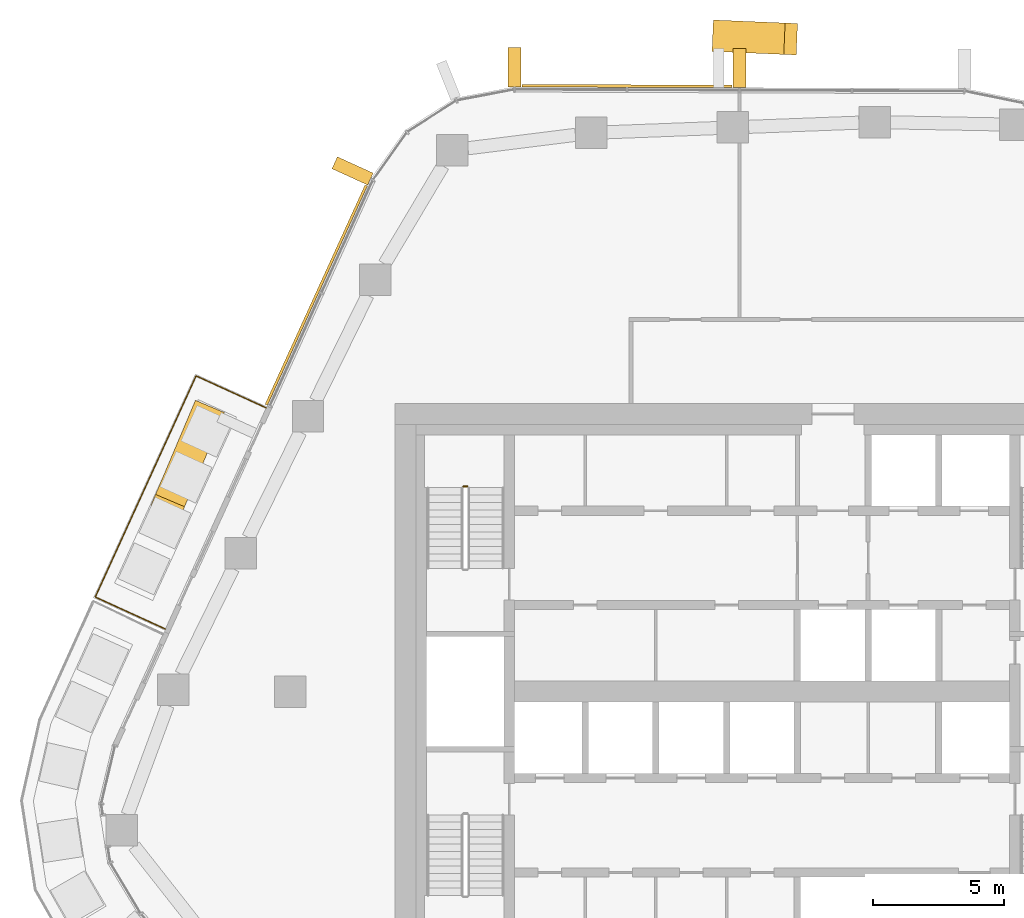
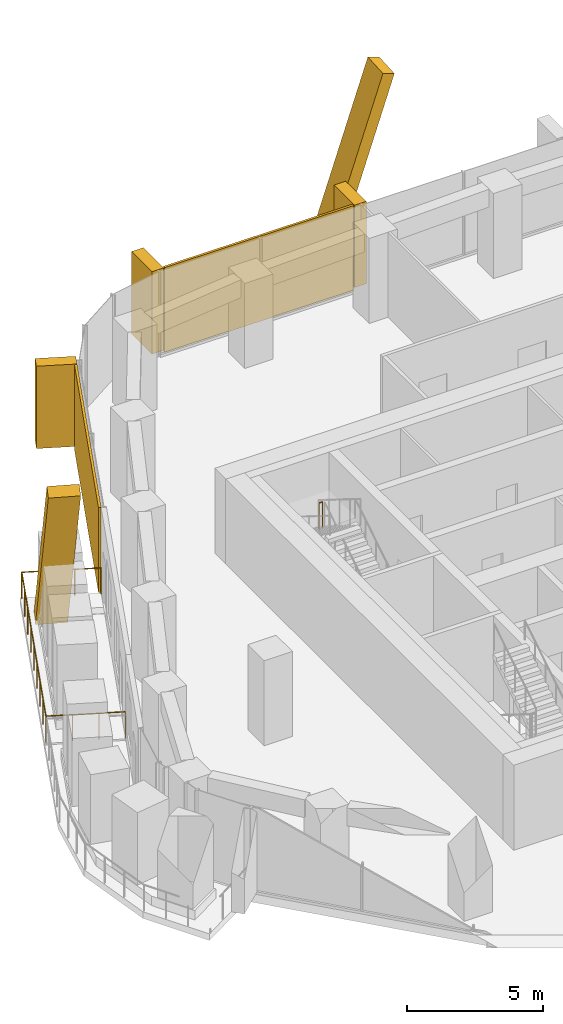
# One storey, part 18 of 19: 7 coverings, 2 railings, 2 elements without a shape of their own.
"""IFC4 building model written with IfcOpenShell, lengths in metres."""

import ifcopenshell
import ifcopenshell.guid

model = None  # the IFC model being written
_history = None  # IfcOwnerHistory: only IFC2X3 demands one
_inside = {}  # id of a spatial element -> (the spatial element, [elements in it])
_under = {}  # id of a project, library or spatial element -> (it, [spatial elements below it])
_declared = {}  # id of a project -> (the project, [libraries it declares])
_typed = {}  # id of a type object -> (the type object, [elements of that type])
_made_of = {}  # id of a material, layer set ... -> (it, [elements and type objects made of it])


def new_model(schema):
    """Start an empty IFC model of exactly this schema.

    Asked for "IFC4X3", IfcOpenShell would pick the latest addendum, in which some entities
    have other attributes; the version numbers below select the first issue.
    IFC2X3 requires an IfcOwnerHistory on every rooted entity: one is made here for all.
    """
    global model, _history
    if schema == "IFC4X3":
        model = ifcopenshell.file(schema_version=(4, 3, 0, 0))
    else:
        model = ifcopenshell.file(schema=schema)
    _inside.clear()
    _under.clear()
    _declared.clear()
    _typed.clear()
    _made_of.clear()
    _history = None
    if model.schema == "IFC2X3":
        org = make("IfcOrganization", Name="unknown")
        user = make(
            "IfcPersonAndOrganization",
            ThePerson=make("IfcPerson", FamilyName="unknown"),
            TheOrganization=org,
        )
        app = make(
            "IfcApplication",
            ApplicationDeveloper=org,
            Version="unknown",
            ApplicationFullName="unknown",
            ApplicationIdentifier="unknown",
        )
        _history = make(
            "IfcOwnerHistory",
            OwningUser=user,
            OwningApplication=app,
            ChangeAction="ADDED",
            CreationDate=0,
        )
    return model


def make(cls, **values):
    """One entity of the class cls with the attributes given. An attribute that is None is left unset."""
    return model.create_entity(
        cls, **{name: value for name, value in values.items() if value is not None}
    )


def rooted(cls, **values):
    """An entity with a GlobalId (a new one), such as an element, a storey or a relation."""
    return make(cls, GlobalId=ifcopenshell.guid.new(), OwnerHistory=_history, **values)


def si_unit(unit_type, name, prefix=None):
    """IfcSIUnit, for example si_unit("LENGTHUNIT", "METRE", prefix="MILLI")."""
    return make("IfcSIUnit", UnitType=unit_type, Prefix=prefix, Name=name)


def assignment(units):
    """IfcUnitAssignment: the units of a project."""
    return None if units is None else make("IfcUnitAssignment", Units=units)


def point(xyz):
    """IfcCartesianPoint."""
    return None if xyz is None else make("IfcCartesianPoint", Coordinates=xyz)


def direction(xyz):
    """IfcDirection."""
    return None if xyz is None else make("IfcDirection", DirectionRatios=xyz)


def frame(location, z_axis=None, x_axis=None):
    """IfcAxis2Placement3D, a coordinate frame: its origin and axes. An axis left out is left unset."""
    return make(
        "IfcAxis2Placement3D",
        Location=point(location),
        Axis=direction(z_axis),
        RefDirection=direction(x_axis),
    )


def frame_2d(location, x_axis=None):
    """IfcAxis2Placement2D, a coordinate frame in the plane: its origin and x axis."""
    return make(
        "IfcAxis2Placement2D", Location=point(location), RefDirection=direction(x_axis)
    )


def origin():
    """The frame at (0, 0, 0) with its axes left unset."""
    return frame((0.0, 0.0, 0.0))


def origin_2d():
    """The frame at (0, 0) in the plane with its x axis left unset."""
    return frame_2d((0.0, 0.0))


def place(relative_to, where):
    """IfcLocalPlacement: puts the frame where relative to a parent placement (None: the world)."""
    return make(
        "IfcLocalPlacement", PlacementRelTo=relative_to, RelativePlacement=where
    )


def context(
    kind, dimensions, precision=None, world=None, true_north=None, identifier=None
):
    """IfcGeometricRepresentationContext, for example the 3D "Model" context."""
    return make(
        "IfcGeometricRepresentationContext",
        ContextIdentifier=identifier,
        ContextType=kind,
        CoordinateSpaceDimension=dimensions,
        Precision=precision,
        WorldCoordinateSystem=world,
        TrueNorth=true_north,
    )


def subcontext(parent, identifier, kind, view, scale=None):
    """IfcGeometricRepresentationSubContext, for example "Body" below "Model"."""
    return make(
        "IfcGeometricRepresentationSubContext",
        ContextIdentifier=identifier,
        ContextType=kind,
        ParentContext=parent,
        TargetScale=scale,
        TargetView=view,
    )


def project(units=None, contexts=None):
    """IfcProject with its units and contexts."""
    return rooted(
        "IfcProject",
        Name="project",
        RepresentationContexts=contexts,
        UnitsInContext=assignment(units),
    )


def spatial(cls, under=None, at=None, **own):
    """A site, building, storey or space (cls), placed at a placement, below another one or the project."""
    s = rooted(cls, ObjectPlacement=at, **own)
    if under is not None:
        _under.setdefault(under.id(), (under, []))[1].append(s)
    return s


def profile(cls, at=None, kind="AREA", **sizes):
    """A parametric profile (cls). Its sizes go by their IFC names, for example OverallWidth=200.0."""
    return make(cls, ProfileType=kind, Position=at, **sizes)


def rectangle(**sizes):
    """IfcRectangleProfileDef."""
    return profile("IfcRectangleProfileDef", **sizes)


def circle(**sizes):
    """IfcCircleProfileDef."""
    return profile("IfcCircleProfileDef", **sizes)


def extrude(swept, where, along, depth):
    """IfcExtrudedAreaSolid: the profile swept, set in the frame where, extruded along a direction by depth."""
    return make(
        "IfcExtrudedAreaSolid",
        SweptArea=swept,
        Position=where,
        ExtrudedDirection=direction(along),
        Depth=depth,
    )


def shape(context_of_items, identifier, shape_type, items):
    """IfcShapeRepresentation: the items that make up one representation, for example the "Body"."""
    return make(
        "IfcShapeRepresentation",
        ContextOfItems=context_of_items,
        RepresentationIdentifier=identifier,
        RepresentationType=shape_type,
        Items=items,
    )


def material(Name=None, Category=None):
    """IfcMaterial."""
    return make("IfcMaterial", Name=Name, Category=Category)


def layer(
    of_material, thickness, ventilated=None, Name=None, Category=None, Priority=None
):
    """IfcMaterialLayer: one layer of a wall or slab, of a material (None: an air gap)."""
    return make(
        "IfcMaterialLayer",
        Material=of_material,
        LayerThickness=thickness,
        IsVentilated=ventilated,
        Name=Name,
        Category=Category,
        Priority=Priority,
    )


def layer_set(layers, Name=None):
    """IfcMaterialLayerSet."""
    return make("IfcMaterialLayerSet", MaterialLayers=layers, LayerSetName=Name)


def material_profile(
    of_material, cross_section, Name=None, Category=None, Priority=None
):
    """IfcMaterialProfile: a cross section and its material."""
    return make(
        "IfcMaterialProfile",
        Name=Name,
        Material=of_material,
        Profile=cross_section,
        Priority=Priority,
        Category=Category,
    )


def profile_set(profiles, Name=None, composite=None):
    """IfcMaterialProfileSet."""
    return make(
        "IfcMaterialProfileSet",
        Name=Name,
        MaterialProfiles=profiles,
        CompositeProfile=composite,
    )


def made_of(thing, what):
    """Note that an element or type object is made of a material, layer set ...; save() writes the relation."""
    if what is not None:
        _made_of.setdefault(what.id(), (what, []))[1].append(thing)
    return thing


def type_object(cls, material=None, **own):
    """A type object (cls), such as IfcWallType, which elements share."""
    return made_of(rooted(cls, **own), material)


def element(
    cls,
    number,
    at=None,
    inside=None,
    cuts=None,
    type_object=None,
    material=None,
    context=None,
    identifier="Body",
    shape_type=None,
    held_by="IfcProductDefinitionShape",
    body=None,
    shapes=None,
    **own,
):
    """One element of the class cls, such as IfcWall. Its Tag is "e" and its number.

    at: its placement. inside: the storey or other place that contains it. cuts: it is an
    opening in that element (IfcRelVoidsElement). A single representation is given by context,
    identifier, shape_type and body (its items); several are given by shapes. held_by: the class
    of the entity that holds the representations. save() writes the other relations.
    """
    e = rooted(cls, Tag="e%d" % number, ObjectPlacement=at, **own)
    if body is not None:
        shapes = [shape(context, identifier, shape_type, body)]
    if shapes is not None:
        e.Representation = make(held_by, Representations=shapes)
    if inside is not None:
        _inside.setdefault(inside.id(), (inside, []))[1].append(e)
    if cuts is not None:
        rooted(
            "IfcRelVoidsElement", RelatingBuildingElement=cuts, RelatedOpeningElement=e
        )
    if type_object is not None:
        _typed.setdefault(type_object.id(), (type_object, []))[1].append(e)
    return made_of(e, material)


def aggregate(whole, parts):
    """IfcRelAggregates: a whole, such as a stair, and the parts it consists of."""
    return rooted("IfcRelAggregates", RelatingObject=whole, RelatedObjects=parts)


def save(model, path):
    """Write the relations noted so far, then the file.

    IfcRelAggregates (storeys below a building ...), IfcRelContainedInSpatialStructure (elements
    in a storey), IfcRelDefinesByType, IfcRelAssociatesMaterial and IfcRelDeclares: one each for
    every whole, place, type object, material and project.
    """
    for whole, parts in _under.values():
        aggregate(whole, parts)
    for where, things in _inside.values():
        rooted(
            "IfcRelContainedInSpatialStructure",
            RelatedElements=things,
            RelatingStructure=where,
        )
    for kind, things in _typed.values():
        rooted("IfcRelDefinesByType", RelatedObjects=things, RelatingType=kind)
    for what, things in _made_of.values():
        rooted("IfcRelAssociatesMaterial", RelatedObjects=things, RelatingMaterial=what)
    for by, libraries in _declared.values():
        rooted("IfcRelDeclares", RelatingContext=by, RelatedDefinitions=libraries)
    model.write(path)


model = new_model("IFC4")

# Units and contexts
model_context = context("Model", 3, precision=1e-05, world=origin(), true_north=direction((0.0, 1.0)))
body_context = subcontext(model_context, "Body", "Model", "MODEL_VIEW")
ifc_project = project(units=[si_unit("LENGTHUNIT", "METRE"), si_unit("AREAUNIT", "SQUARE_METRE"), si_unit("VOLUMEUNIT", "CUBIC_METRE"), si_unit("PLANEANGLEUNIT", "RADIAN"), si_unit("MASSUNIT", "GRAM", prefix="KILO")], contexts=[model_context])

# Site, building, storey
site_placement = place(None, origin())
site = spatial("IfcSite", under=ifc_project, at=site_placement, CompositionType="ELEMENT")
building_placement = place(site_placement, origin())
building = spatial("IfcBuilding", under=site, at=building_placement, Name="Dongbaek Canopy Tower", CompositionType="ELEMENT")
storey_placement = place(building_placement, frame((0.0, 0.0, 207.199951171875)))
storey = spatial("IfcBuildingStorey", under=building, at=storey_placement, Name="L43", CompositionType="ELEMENT", Elevation=207.199951171875)

# Railing
ifc_material_1 = material(Name="Stainless steel", Category="steel")
railing_type_1 = type_object("IfcRailingType", Name="Balcony balustrade 1200", PredefinedType="BALUSTRADE", material=ifc_material_1)
railing_1_placement = place(storey_placement, frame((-18.92431640625, 10.82861328125, 0.0)))
element("IfcRailing", 1, at=railing_1_placement, inside=storey, type_object=railing_type_1, Name="Balcony guard L43 1", PredefinedType="BALUSTRADE", context=body_context, shape_type="SweptSolid", body=[
    extrude(circle(Radius=0.02392578125, at=origin_2d()), frame((0.0, 0.0, 1.17578125), z_axis=(-0.909910892542, 0.414803770033, 0.0), x_axis=(-0.414803770033, -0.909910892542, 0.0)), (0.0, 0.0, 1.0), 2.93994140625),
    extrude(circle(Radius=0.02392578125, at=origin_2d()), frame((-2.675048828125, 1.219482421875, 1.17578125), z_axis=(-0.414758607999, -0.909931479338, 0.0), x_axis=(0.909931479338, -0.414758607999, 0.0)), (0.0, 0.0, 1.0), 9.275146484375),
    extrude(circle(Radius=0.02392578125, at=origin_2d()), frame((-6.52197265625, -7.22021484375, 1.17578125), z_axis=(0.909910892542, -0.414803770033, 0.0), x_axis=(0.414803770033, 0.909910892542, 0.0)), (0.0, 0.0, 1.0), 2.93994140625),
    extrude(circle(Radius=0.02099609375, at=origin_2d()), origin(), (0.0, 0.0, 1.0), 1.15185546875),
    extrude(circle(Radius=0.02099609375, at=origin_2d()), frame((-0.8916015625, 0.406494140625, 0.0)), (0.0, 0.0, 1.0), 1.15185546875),
    extrude(circle(Radius=0.02099609375, at=origin_2d()), frame((-1.783447265625, 0.81298828125, 0.0)), (0.0, 0.0, 1.0), 1.15185546875),
    extrude(circle(Radius=0.02099609375, at=origin_2d()), frame((-2.675048828125, 1.219482421875, 0.0)), (0.0, 0.0, 1.0), 1.15185546875),
    extrude(circle(Radius=0.02099609375, at=origin_2d()), frame((-3.156005859375, 0.16455078125, 0.0)), (0.0, 0.0, 1.0), 1.15185546875),
    extrude(circle(Radius=0.02099609375, at=origin_2d()), frame((-3.63671875, -0.890380859375, 0.0)), (0.0, 0.0, 1.0), 1.15185546875),
    extrude(circle(Radius=0.02099609375, at=origin_2d()), frame((-4.11767578125, -1.9453125, 0.0)), (0.0, 0.0, 1.0), 1.15185546875),
    extrude(circle(Radius=0.02099609375, at=origin_2d()), frame((-4.5986328125, -3.00048828125, 0.0)), (0.0, 0.0, 1.0), 1.15185546875),
    extrude(circle(Radius=0.02099609375, at=origin_2d()), frame((-5.079345703125, -4.055419921875, 0.0)), (0.0, 0.0, 1.0), 1.15185546875),
    extrude(circle(Radius=0.02099609375, at=origin_2d()), frame((-5.560302734375, -5.1103515625, 0.0)), (0.0, 0.0, 1.0), 1.15185546875),
    extrude(circle(Radius=0.02099609375, at=origin_2d()), frame((-6.041015625, -6.165283203125, 0.0)), (0.0, 0.0, 1.0), 1.15185546875),
    extrude(circle(Radius=0.02099609375, at=origin_2d()), frame((-6.52197265625, -7.22021484375, 0.0)), (0.0, 0.0, 1.0), 1.15185546875),
    extrude(circle(Radius=0.02099609375, at=origin_2d()), frame((-5.63037109375, -7.626708984375, 0.0)), (0.0, 0.0, 1.0), 1.15185546875),
    extrude(circle(Radius=0.02099609375, at=origin_2d()), frame((-4.738525390625, -8.033203125, 0.0)), (0.0, 0.0, 1.0), 1.15185546875),
    extrude(circle(Radius=0.02099609375, at=origin_2d()), frame((-3.846923828125, -8.439697265625, 0.0)), (0.0, 0.0, 1.0), 1.15185546875),
])

# Curtain wall, covering
ifc_material_2 = material(Name="Aluminium 6063-T6 pale anodised", Category="aluminium")
ifc_layer_1 = layer(ifc_material_2, 0.199951171875)
ifc_layer_set_1 = layer_set([ifc_layer_1], Name="CW-1 unitised tower curtain wall")
curtain_wall_type = type_object("IfcCurtainWallType", Name="CW-1 unitised tower curtain wall", PredefinedType="NOTDEFINED", material=ifc_layer_set_1)
curtain_wall_1_placement = place(storey_placement, origin())
curtain_wall_1 = element("IfcCurtainWall", 2, at=curtain_wall_1_placement, inside=storey, type_object=curtain_wall_type, Name="CW-1 curtain wall F1.1", PredefinedType="NOTDEFINED")
ifc_material_3 = material(Name="Aluminium 6063-T6 pale metal fin", Category="aluminium")
ifc_material_profile_1 = material_profile(ifc_material_3, rectangle(XDim=1.199951171875, YDim=0.5, at=origin_2d()), Name="Crease fin CF1 500 x 1200 pale metal")
ifc_profile_set_1 = profile_set([ifc_material_profile_1], Name="Aluminium 6063-T6 pale metal fin")
covering_type_1 = type_object("IfcCoveringType", Name="Crease fin CF1 500 x 1200 pale metal", PredefinedType="CLADDING", material=ifc_profile_set_1)
covering_1_placement = place(storey_placement, frame((-1.6455078125, 25.021240234375, -0.18994140625), z_axis=(0.309885863589, -0.012986745955, 0.950685066664), x_axis=(0.041871405602, 0.999123008139, 0.0)))
covering_1 = element("IfcCovering", 3, at=covering_1_placement, type_object=covering_type_1, Name="Crease fin L43 L45 F1", PredefinedType="CLADDING", context=body_context, shape_type="SweptSolid", body=[
    extrude(rectangle(XDim=1.199951171875, YDim=0.5, at=origin_2d()), origin(), (0.0, 0.0, 1.0), 8.835693359375),
])

curtain_wall_2_placement = place(storey_placement, origin())
curtain_wall_2 = element("IfcCurtainWall", 4, at=curtain_wall_2_placement, inside=storey, type_object=curtain_wall_type, Name="CW-1 curtain wall F2.1", PredefinedType="NOTDEFINED")
covering_2_placement = place(storey_placement, frame((-21.159912109375, 10.673583984375, -0.18994140625), z_axis=(-0.164257642759, -0.387801987262, 0.906988999642), x_axis=(0.920807353025, -0.39001771577, 0.0)))
covering_2 = element("IfcCovering", 5, at=covering_2_placement, type_object=covering_type_1, Name="Crease fin L43 L45 F2", PredefinedType="CLADDING", context=body_context, shape_type="SweptSolid", body=[
    extrude(rectangle(XDim=1.199951171875, YDim=0.5, at=origin_2d()), origin(), (0.0, 0.0, 1.0), 9.26123046875),
])

# Covering
ifc_material_4 = material(Name="Perforated aluminium 6063-T6 pale metal screen", Category="aluminium")
ifc_layer_2 = layer(ifc_material_4, 0.10009765625)
ifc_layer_set_2 = layer_set([ifc_layer_2], Name="Facet screen FS1 100 pale metal")
covering_type_2 = type_object("IfcCoveringType", Name="Facet screen FS1 100 pale metal", PredefinedType="CLADDING", material=ifc_layer_set_2)
covering_3_placement = place(storey_placement, frame((-5.15478515625, 23.110107421875, 0.0), z_axis=(0.0, 0.0, 1.0), x_axis=(-0.999993244757, 0.003675655128, 0.0)))
covering_3 = element("IfcCovering", 6, at=covering_3_placement, type_object=covering_type_2, Name="Facet screen L43 F1", PredefinedType="CLADDING", context=body_context, shape_type="SweptSolid", body=[
    extrude(rectangle(XDim=8.0087890625, YDim=0.10009765625, at=origin_2d()), origin(), (0.0, 0.0, 1.0), 3.820068359375),
])

covering_4_placement = place(storey_placement, frame((-17.013671875, 15.131591796875, 0.0), z_axis=(0.0, 0.0, 1.0), x_axis=(-0.414755180794, -0.909933041495, 0.0)))
covering_4 = element("IfcCovering", 7, at=covering_4_placement, type_object=covering_type_2, Name="Facet screen L43 F2", PredefinedType="CLADDING", context=body_context, shape_type="SweptSolid", body=[
    extrude(rectangle(XDim=9.195556640625, YDim=0.10009765625, at=origin_2d()), origin(), (0.0, 0.0, 1.0), 3.820068359375),
])

ifc_material_5 = material(Name="Aluminium 6063-T6 pale metal fin", Category="aluminium")
ifc_material_profile_2 = material_profile(ifc_material_5, rectangle(XDim=1.5, YDim=0.5, at=origin_2d()), Name="Fin FN1 500 x 1500 pale metal")
ifc_profile_set_2 = profile_set([ifc_material_profile_2], Name="Aluminium 6063-T6 pale metal fin")
covering_type_3 = type_object("IfcCoveringType", Name="Fin FN1 500 x 1500 pale metal", PredefinedType="CLADDING", material=ifc_profile_set_2)
covering_5_placement = place(storey_placement, frame((-0.857666015625, 23.79833984375, 0.1201171875), z_axis=(0.0, 0.0, 1.0), x_axis=(0.003675442583, 0.999993245538, 0.0)))
covering_5 = element("IfcCovering", 8, at=covering_5_placement, type_object=covering_type_3, Name="Fin F1.1.3", PredefinedType="CLADDING", context=body_context, shape_type="SweptSolid", body=[
    extrude(rectangle(XDim=1.5, YDim=0.5, at=origin_2d()), origin(), (0.0, 0.0, 1.0), 3.699951171875),
])

covering_6_placement = place(storey_placement, frame((-9.446533203125, 23.830078125, 0.1201171875), z_axis=(0.0, 0.0, 1.0), x_axis=(0.003675442583, 0.999993245538, 0.0)))
covering_6 = element("IfcCovering", 9, at=covering_6_placement, type_object=covering_type_3, Name="Fin F1.1.5", PredefinedType="CLADDING", context=body_context, shape_type="SweptSolid", body=[
    extrude(rectangle(XDim=1.5, YDim=0.5, at=origin_2d()), origin(), (0.0, 0.0, 1.0), 3.699951171875),
])

aggregate(curtain_wall_1, [covering_5, covering_6, covering_1, covering_3])

covering_7_placement = place(storey_placement, frame((-15.626953125, 19.87109375, 0.1201171875), z_axis=(0.0, 0.0, 1.0), x_axis=(-0.909932941374, 0.414755400449, 0.0)))
covering_7 = element("IfcCovering", 10, at=covering_7_placement, type_object=covering_type_3, Name="Fin F2.1.1", PredefinedType="CLADDING", context=body_context, shape_type="SweptSolid", body=[
    extrude(rectangle(XDim=1.5, YDim=0.5, at=origin_2d()), origin(), (0.0, 0.0, 1.0), 3.699951171875),
])

aggregate(curtain_wall_2, [covering_7, covering_2, covering_4])

# Railing
ifc_material_6 = material(Name="Stainless steel tube and balusters", Category="steel")
railing_type_2 = type_object("IfcRailingType", Name="Stair guard 1200", PredefinedType="GUARDRAIL", material=ifc_material_6)
railing_2_placement = place(storey_placement, frame((-11.25, 7.830078125, 2.10009765625)))
element("IfcRailing", 11, at=railing_2_placement, inside=storey, type_object=railing_type_2, Name="L43 ST-C stair guard 2", PredefinedType="GUARDRAIL", context=body_context, shape_type="SweptSolid", body=[
    extrude(circle(Radius=0.02392578125, at=origin_2d()), frame((0.0, 0.0, 1.17578125), z_axis=(-1.0, 0.0, 0.0), x_axis=(0.0, -1.0, 0.0)), (0.0, 0.0, 1.0), 0.14990234375),
    extrude(circle(Radius=0.02099609375, at=origin_2d()), origin(), (0.0, 0.0, 1.0), 1.15185546875),
    extrude(circle(Radius=0.02099609375, at=origin_2d()), frame((-0.14990234375, 0.0, 0.0)), (0.0, 0.0, 1.0), 1.15185546875),
])

save(model, "model.ifc")
